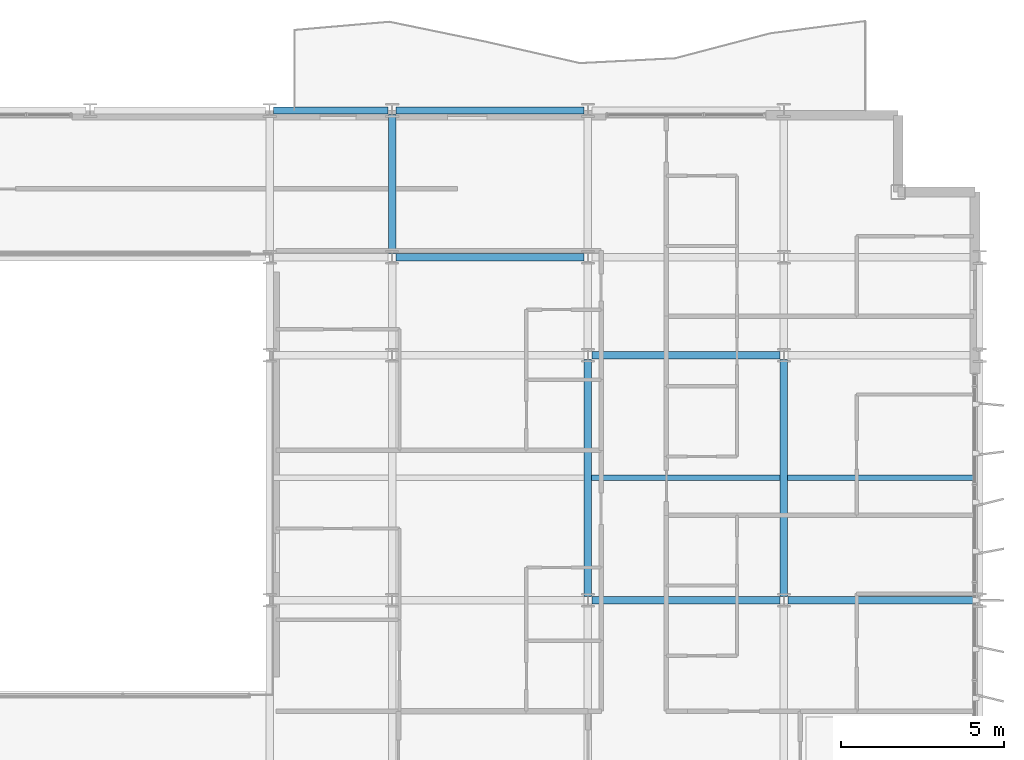
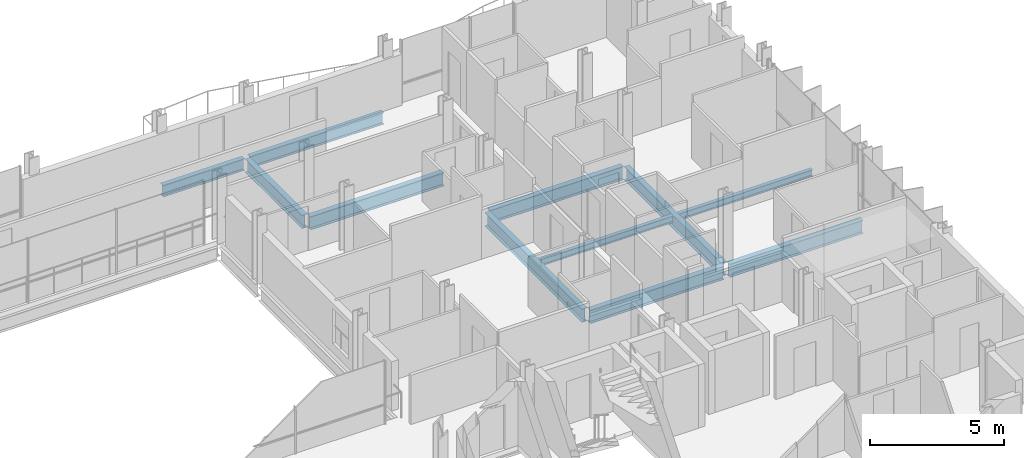
# One storey, part 18 of 38: 11 beams.
"""IFC4 building model written with IfcOpenShell, lengths in metres."""

from ifc_helpers import new_model, si_unit, direction, frame, origin, origin_2d, place, context, subcontext, project, spatial, i_section, extrude, material, material_profile, profile_set, type_object, element, save


model = new_model("IFC4")

# Units and contexts
model_context = context("Model", 3, precision=1e-05, world=origin(), true_north=direction((0.0, 1.0)))
body_context = subcontext(model_context, "Body", "Model", "MODEL_VIEW")
ifc_project = project(units=[si_unit("LENGTHUNIT", "METRE"), si_unit("AREAUNIT", "SQUARE_METRE"), si_unit("VOLUMEUNIT", "CUBIC_METRE"), si_unit("PLANEANGLEUNIT", "RADIAN"), si_unit("MASSUNIT", "GRAM", prefix="KILO")], contexts=[model_context])

# Site, building, storey
site_placement = place(None, origin())
site = spatial("IfcSite", under=ifc_project, at=site_placement, CompositionType="ELEMENT")
building_placement = place(site_placement, origin())
building = spatial("IfcBuilding", under=site, at=building_placement, Name="Brevholm Reach", CompositionType="ELEMENT")
storey_placement = place(building_placement, frame((0.0, 0.0, 122.10009765625)))
storey = spatial("IfcBuildingStorey", under=building, at=storey_placement, Name="L36", CompositionType="ELEMENT", Elevation=122.10009765625)

# Beams
ifc_material_1 = material(Name="Structural Steel S355J2", Category="steel")
ifc_material_profile_1 = material_profile(ifc_material_1, i_section(OverallWidth=0.1650390625, OverallDepth=0.303466796875, WebThickness=0.006103515625, FlangeThickness=0.01025390625, FilletRadius=0.0087890625, at=origin_2d()), Name="UKB 305x165x40")
ifc_profile_set_1 = profile_set([ifc_material_profile_1], Name="Structural Steel S355J2")
beam_type_1 = type_object("IfcBeamType", Name="BM-B305", PredefinedType="BEAM", material=ifc_profile_set_1)
beam_1_placement = place(storey_placement, frame((48.114501953125, 19.75, -0.371826171875), z_axis=(1.0, 0.0, 0.0), x_axis=(0.0, 1.0, 0.0)))
element("IfcBeam", 1, at=beam_1_placement, inside=storey, type_object=beam_type_1, Name="L36 Composite Secondary Floor Beam", PredefinedType="BEAM", context=body_context, shape_type="SweptSolid", body=[
    extrude(i_section(OverallWidth=0.1650390625, OverallDepth=0.303466796875, WebThickness=0.006103515625, FlangeThickness=0.01025390625, FilletRadius=0.0087890625, at=origin_2d()), origin(), (0.0, 0.0, 1.0), 5.77099609375),
])
beam_2_placement = place(storey_placement, frame((54.114501953125, 19.75, -0.371826171875), z_axis=(1.0, 0.0, 0.0), x_axis=(0.0, 1.0, 0.0)))
element("IfcBeam", 2, at=beam_2_placement, inside=storey, type_object=beam_type_1, Name="L36 Composite Secondary Floor Beam", PredefinedType="BEAM", context=body_context, shape_type="SweptSolid", body=[
    extrude(i_section(OverallWidth=0.1650390625, OverallDepth=0.303466796875, WebThickness=0.006103515625, FlangeThickness=0.01025390625, FilletRadius=0.0087890625, at=origin_2d()), origin(), (0.0, 0.0, 1.0), 5.78076171875),
])
ifc_material_2 = material(Name="Structural Steel S355J2", Category="steel")
ifc_material_profile_2 = material_profile(ifc_material_2, i_section(OverallWidth=0.209228515625, OverallDepth=0.533203125, WebThickness=0.010009765625, FlangeThickness=0.015625, FilletRadius=0.0126953125, at=origin_2d()), Name="UKB 533x210x92")
ifc_profile_set_2 = profile_set([ifc_material_profile_2], Name="Structural Steel S355J2")
beam_type_2 = type_object("IfcBeamType", Name="BM-SP533", PredefinedType="SPANDREL", material=ifc_profile_set_2)
beam_3_placement = place(storey_placement, frame((38.3701171875, 31.0, -0.486572265625), z_axis=(1.0, 0.0, 0.0), x_axis=(0.0, 1.0, 0.0)))
element("IfcBeam", 3, at=beam_3_placement, inside=storey, type_object=beam_type_2, Name="L36 SP-02 Framing Beam", PredefinedType="SPANDREL", context=body_context, shape_type="SweptSolid", body=[
    extrude(i_section(OverallWidth=0.209228515625, OverallDepth=0.533203125, WebThickness=0.010009765625, FlangeThickness=0.015625, FilletRadius=0.0126953125, at=origin_2d()), origin(), (0.0, 0.0, 1.0), 3.509765625),
])
beam_4_placement = place(storey_placement, frame((42.1201171875, 31.0, -0.486572265625), z_axis=(1.0, 0.0, 0.0), x_axis=(0.0, 1.0, 0.0)))
element("IfcBeam", 4, at=beam_4_placement, inside=storey, type_object=beam_type_2, Name="L36 SP-02 Framing Beam", PredefinedType="SPANDREL", context=body_context, shape_type="SweptSolid", body=[
    extrude(i_section(OverallWidth=0.209228515625, OverallDepth=0.533203125, WebThickness=0.010009765625, FlangeThickness=0.015625, FilletRadius=0.0126953125, at=origin_2d()), origin(), (0.0, 0.0, 1.0), 5.759765625),
])
ifc_material_3 = material(Name="Structural Steel S355J2", Category="steel")
ifc_material_profile_3 = material_profile(ifc_material_3, i_section(OverallWidth=0.22900390625, OverallDepth=0.6123046875, WebThickness=0.011962890625, FlangeThickness=0.01953125, FilletRadius=0.0126953125, at=origin_2d()), Name="UKB 610x229x125")
ifc_profile_set_3 = profile_set([ifc_material_profile_3], Name="Structural Steel S355J2")
beam_type_3 = type_object("IfcBeamType", Name="BM-SP610", PredefinedType="SPANDREL", material=ifc_profile_set_3)
for number, where, z_axis, x_axis, name in (
    (5, (48.1201171875, 16.0, -0.526123046875), (1.0, 0.0, 0.0), (0.0, 1.0, 0.0), "L36 SP-01 Framing Beam"),
    (6, (54.1201171875, 16.0, -0.526123046875), (1.0, 0.0, 0.0), (0.0, 1.0, 0.0), "L36 SP-01 Framing Beam"),
    (7, (48.1201171875, 23.5, -0.526123046875), (1.0, 0.0, 0.0), (0.0, 1.0, 0.0), "L36 SP-01 Framing Beam"),
    (8, (42.1201171875, 26.5, -0.526123046875), (1.0, 0.0, 0.0), (0.0, 1.0, 0.0), "L36 SP-01 Framing Beam"),
):
    element("IfcBeam", number, at=place(storey_placement, frame(where, z_axis=z_axis, x_axis=x_axis)), inside=storey, type_object=beam_type_3, Name=name, PredefinedType="SPANDREL", context=body_context, shape_type="SweptSolid", body=[
        extrude(i_section(OverallWidth=0.22900390625, OverallDepth=0.6123046875, WebThickness=0.011962890625, FlangeThickness=0.01953125, FilletRadius=0.0126953125, at=origin_2d()), origin(), (0.0, 0.0, 1.0), 5.759765625),
    ])
beam_5_placement = place(storey_placement, frame((42.0, 26.6201171875, -0.526123046875), z_axis=(0.0, 1.0, 0.0), x_axis=(-1.0, 0.0, 0.0)))
element("IfcBeam", 9, at=beam_5_placement, inside=storey, type_object=beam_type_3, Name="L36 SP-01 Framing Beam", PredefinedType="SPANDREL", context=body_context, shape_type="SweptSolid", body=[
    extrude(i_section(OverallWidth=0.22900390625, OverallDepth=0.6123046875, WebThickness=0.011962890625, FlangeThickness=0.01953125, FilletRadius=0.0126953125, at=origin_2d()), origin(), (0.0, 0.0, 1.0), 4.259765625),
])
for number, where, z_axis, x_axis, name in (
    (10, (48.0, 16.1201171875, -0.526123046875), (0.0, 1.0, 0.0), (-1.0, 0.0, 0.0), "L36 SP-01 Framing Beam"),
    (11, (54.0, 16.1201171875, -0.526123046875), (0.0, 1.0, 0.0), (-1.0, 0.0, 0.0), "L36 SP-01 Framing Beam"),
):
    element("IfcBeam", number, at=place(storey_placement, frame(where, z_axis=z_axis, x_axis=x_axis)), inside=storey, type_object=beam_type_3, Name=name, PredefinedType="SPANDREL", context=body_context, shape_type="SweptSolid", body=[
        extrude(i_section(OverallWidth=0.22900390625, OverallDepth=0.6123046875, WebThickness=0.011962890625, FlangeThickness=0.01953125, FilletRadius=0.0126953125, at=origin_2d()), origin(), (0.0, 0.0, 1.0), 7.259765625),
    ])

save(model, "model.ifc")
